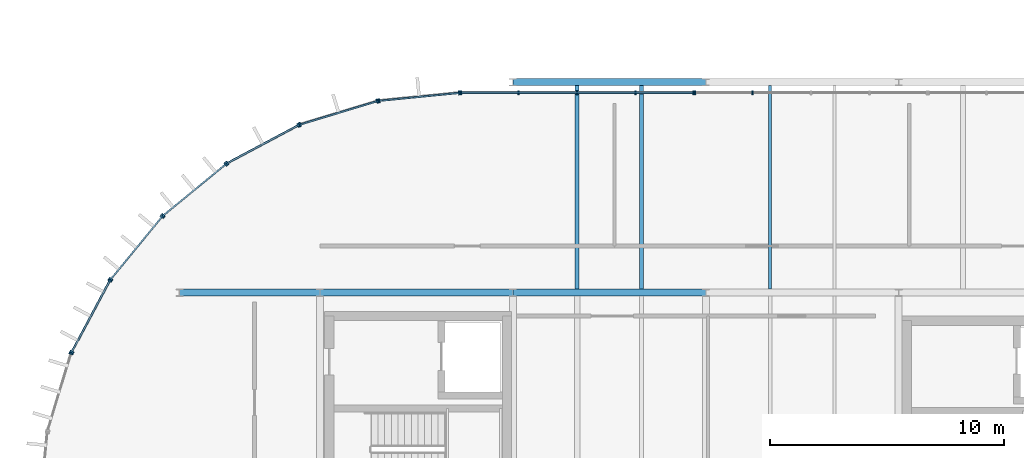
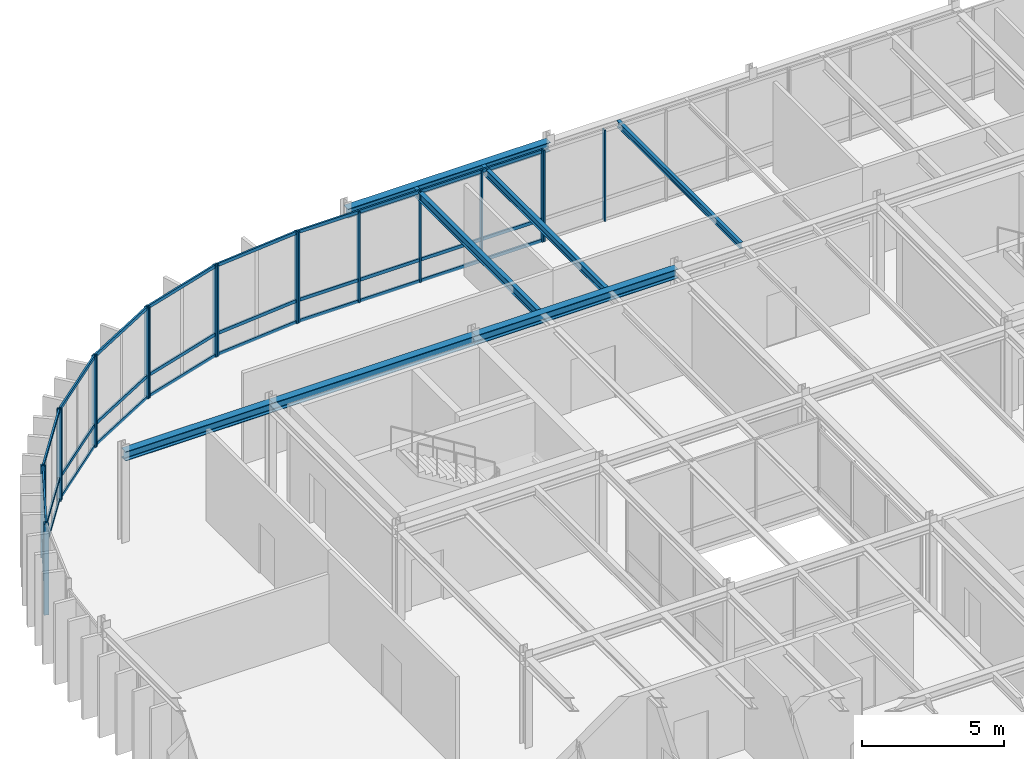
# One storey, part 12 of 27: 41 members, 7 beams, 9 elements without a shape of their own.
"""IFC4 building model written with IfcOpenShell, lengths in metres."""

from ifc_helpers import new_model, si_unit, direction, frame, origin, origin_2d, place, context, subcontext, project, spatial, rectangle, i_section, extrude, material, layer, layer_set, material_profile, profile_set, type_object, element, aggregate, save


model = new_model("IFC4")

# Units and contexts
model_context = context("Model", 3, precision=1e-05, world=origin(), true_north=direction((0.0, 1.0)))
body_context = subcontext(model_context, "Body", "Model", "MODEL_VIEW")
ifc_project = project(units=[si_unit("LENGTHUNIT", "METRE"), si_unit("AREAUNIT", "SQUARE_METRE"), si_unit("VOLUMEUNIT", "CUBIC_METRE"), si_unit("PLANEANGLEUNIT", "RADIAN"), si_unit("MASSUNIT", "GRAM", prefix="KILO")], contexts=[model_context])

# Site, building, storey
site_placement = place(None, origin())
site = spatial("IfcSite", under=ifc_project, at=site_placement, CompositionType="ELEMENT")
building_placement = place(site_placement, origin())
building = spatial("IfcBuilding", under=site, at=building_placement, Name="Montealbar Specialist Clinic", CompositionType="ELEMENT")
storey_placement = place(building_placement, frame((0.0, 0.0, 18.0)))
storey = spatial("IfcBuildingStorey", under=building, at=storey_placement, Name="L04", CompositionType="ELEMENT", Elevation=18.0)

# Beams
ifc_material_1 = material(Name="Steel S355", Category="steel")
ifc_material_profile_1 = material_profile(ifc_material_1, i_section(OverallWidth=0.300048828125, OverallDepth=0.39990234375, WebThickness=0.013427734375, FlangeThickness=0.02392578125, FilletRadius=0.027099609375, at=origin_2d()), Name="HEB 400", Category="steel")
ifc_profile_set_1 = profile_set([ifc_material_profile_1], Name="Steel S355")
beam_type_1 = type_object("IfcBeamType", Name="BM-GIRD-HEB400", PredefinedType="BEAM", material=ifc_profile_set_1)
beam_1_placement = place(storey_placement, frame((60.0, 36.0, 3.68994140625), z_axis=(1.0, 0.0, 0.0), x_axis=(0.0, 1.0, 0.0)))
element("IfcBeam", 1, at=beam_1_placement, inside=storey, type_object=beam_type_1, Name="Beam GX-L04-600-660-360", PredefinedType="BEAM", context=body_context, shape_type="SweptSolid", body=[
    extrude(i_section(OverallWidth=0.300048828125, OverallDepth=0.39990234375, WebThickness=0.013427734375, FlangeThickness=0.02392578125, FilletRadius=0.027099609375, at=origin_2d()), origin(), (0.0, 0.0, 1.0), 6.0),
])
for number, where, z_axis, x_axis, name in (
    (2, (66.0, 36.0, 3.68994140625), (1.0, 0.0, 0.0), (0.0, 1.0, 0.0), "Beam GX-L04-660-742-360"),
    (3, (74.25, 36.0, 3.68994140625), (1.0, 0.0, 0.0), (0.0, 1.0, 0.0), "Beam GX-L04-742-825-360"),
    (4, (74.25, 45.0, 3.68994140625), (1.0, 0.0, 0.0), (0.0, 1.0, 0.0), "Beam GX-L04-742-825-450"),
):
    element("IfcBeam", number, at=place(storey_placement, frame(where, z_axis=z_axis, x_axis=x_axis)), inside=storey, type_object=beam_type_1, Name=name, PredefinedType="BEAM", context=body_context, shape_type="SweptSolid", body=[
        extrude(i_section(OverallWidth=0.300048828125, OverallDepth=0.39990234375, WebThickness=0.013427734375, FlangeThickness=0.02392578125, FilletRadius=0.027099609375, at=origin_2d()), origin(), (0.0, 0.0, 1.0), 8.25),
    ])
ifc_material_profile_2 = material_profile(ifc_material_1, i_section(OverallWidth=0.135009765625, OverallDepth=0.27001953125, WebThickness=0.006591796875, FlangeThickness=0.01025390625, FilletRadius=0.014892578125, at=origin_2d()), Name="IPE 270", Category="steel")
ifc_profile_set_2 = profile_set([ifc_material_profile_2], Name="Steel S355")
beam_type_2 = type_object("IfcBeamType", Name="BM-JST-IPE270", PredefinedType="JOIST", material=ifc_profile_set_2)
beam_2_placement = place(storey_placement, frame((85.25, 36.14990234375, 3.7548828125), z_axis=(0.0, 1.0, 0.0), x_axis=(-1.0, 0.0, 0.0)))
element("IfcBeam", 5, at=beam_2_placement, inside=storey, type_object=beam_type_2, Name="Beam JST-L04-852-362-448", PredefinedType="JOIST", context=body_context, shape_type="SweptSolid", body=[
    extrude(i_section(OverallWidth=0.135009765625, OverallDepth=0.27001953125, WebThickness=0.006591796875, FlangeThickness=0.01025390625, FilletRadius=0.014892578125, at=origin_2d()), origin(), (0.0, 0.0, 1.0), 8.7001953125),
])
ifc_material_profile_3 = material_profile(ifc_material_1, i_section(OverallWidth=0.159912109375, OverallDepth=0.330078125, WebThickness=0.007568359375, FlangeThickness=0.011474609375, FilletRadius=0.01806640625, at=origin_2d()), Name="IPE 330", Category="steel")
ifc_profile_set_3 = profile_set([ifc_material_profile_3], Name="Steel S355")
beam_type_3 = type_object("IfcBeamType", Name="BM-JST-IPE330", PredefinedType="JOIST", material=ifc_profile_set_3)
beam_3_placement = place(storey_placement, frame((79.75, 36.14990234375, 3.72509765625), z_axis=(0.0, 1.0, 0.0), x_axis=(-1.0, 0.0, 0.0)))
element("IfcBeam", 6, at=beam_3_placement, inside=storey, type_object=beam_type_3, Name="Beam JST-L04-798-362-448", PredefinedType="JOIST", context=body_context, shape_type="SweptSolid", body=[
    extrude(i_section(OverallWidth=0.159912109375, OverallDepth=0.330078125, WebThickness=0.007568359375, FlangeThickness=0.011474609375, FilletRadius=0.01806640625, at=origin_2d()), origin(), (0.0, 0.0, 1.0), 8.7001953125),
])
ifc_material_profile_4 = material_profile(ifc_material_1, i_section(OverallWidth=0.169921875, OverallDepth=0.360107421875, WebThickness=0.008056640625, FlangeThickness=0.0126953125, FilletRadius=0.01806640625, at=origin_2d()), Name="IPE 360", Category="steel")
ifc_profile_set_4 = profile_set([ifc_material_profile_4], Name="Steel S355")
beam_type_4 = type_object("IfcBeamType", Name="BM-JST-IPE360", PredefinedType="JOIST", material=ifc_profile_set_4)
beam_4_placement = place(storey_placement, frame((77.0, 36.14990234375, 3.7099609375), z_axis=(0.0, 1.0, 0.0), x_axis=(-1.0, 0.0, 0.0)))
element("IfcBeam", 7, at=beam_4_placement, inside=storey, type_object=beam_type_4, Name="Beam JST-L04-770-362-448", PredefinedType="JOIST", context=body_context, shape_type="SweptSolid", body=[
    extrude(i_section(OverallWidth=0.169921875, OverallDepth=0.360107421875, WebThickness=0.008056640625, FlangeThickness=0.0126953125, FilletRadius=0.01806640625, at=origin_2d()), origin(), (0.0, 0.0, 1.0), 8.7001953125),
])

# Curtain wall, members
ifc_material_2 = material(Name="Low-E double glazing", Category="glass")
ifc_layer_1 = layer(ifc_material_2, 0.199951171875, Name="Low-E double glazing", Category="glass")
ifc_layer_set_1 = layer_set([ifc_layer_1], Name="Low-E double glazing")
curtain_wall_type_1 = type_object("IfcCurtainWallType", Name="CW-TYPE-30", PredefinedType="NOTDEFINED", material=ifc_layer_set_1)
curtain_wall_1_placement = place(storey_placement, origin())
curtain_wall_1 = element("IfcCurtainWall", 8, at=curtain_wall_1_placement, inside=storey, type_object=curtain_wall_type_1, Name="Unitised Curtain Wall CW-L04-720-446-820-446-180", PredefinedType="NOTDEFINED")
ifc_material_3 = material(Name="Anodised aluminium EN AW-6063", Category="aluminium")
ifc_material_profile_5 = material_profile(ifc_material_3, rectangle(XDim=0.06005859375, YDim=0.159912109375, at=origin_2d()), Name="ALU 60x160", Category="aluminium")
ifc_profile_set_5 = profile_set([ifc_material_profile_5], Name="Anodised aluminium EN AW-6063")
member_type_1 = type_object("IfcMemberType", Name="CW-MUL-160", PredefinedType="MULLION", material=ifc_profile_set_5)
member_1_placement = place(storey_placement, frame((72.034912109375, 44.550048828125, 0.0), z_axis=(0.0, 0.0, 1.0), x_axis=(1.0, 0.0, 0.0)))
member_1 = element("IfcMember", 9, at=member_1_placement, type_object=member_type_1, Name="Curtain Wall Mullion CW-L04-720-446-820-446-180-00", PredefinedType="MULLION", context=body_context, shape_type="SweptSolid", body=[
    extrude(rectangle(XDim=0.06005859375, YDim=0.159912109375, at=origin_2d()), origin(), (0.0, 0.0, 1.0), 3.919921875),
])
member_2_placement = place(storey_placement, frame((74.5, 44.550048828125, 0.0), z_axis=(0.0, 0.0, 1.0), x_axis=(1.0, 0.0, 0.0)))
member_2 = element("IfcMember", 10, at=member_2_placement, type_object=member_type_1, Name="Curtain Wall Mullion CW-L04-720-446-820-446-180-01", PredefinedType="MULLION", context=body_context, shape_type="SweptSolid", body=[
    extrude(rectangle(XDim=0.06005859375, YDim=0.159912109375, at=origin_2d()), origin(), (0.0, 0.0, 1.0), 3.919921875),
])
member_3_placement = place(storey_placement, frame((77.0, 44.550048828125, 0.0), z_axis=(0.0, 0.0, 1.0), x_axis=(1.0, 0.0, 0.0)))
member_3 = element("IfcMember", 11, at=member_3_placement, type_object=member_type_1, Name="Curtain Wall Mullion CW-L04-720-446-820-446-180-02", PredefinedType="MULLION", context=body_context, shape_type="SweptSolid", body=[
    extrude(rectangle(XDim=0.06005859375, YDim=0.159912109375, at=origin_2d()), origin(), (0.0, 0.0, 1.0), 3.919921875),
])
member_4_placement = place(storey_placement, frame((79.5, 44.550048828125, 0.0), z_axis=(0.0, 0.0, 1.0), x_axis=(1.0, 0.0, 0.0)))
member_4 = element("IfcMember", 12, at=member_4_placement, type_object=member_type_1, Name="Curtain Wall Mullion CW-L04-720-446-820-446-180-03", PredefinedType="MULLION", context=body_context, shape_type="SweptSolid", body=[
    extrude(rectangle(XDim=0.06005859375, YDim=0.159912109375, at=origin_2d()), origin(), (0.0, 0.0, 1.0), 3.919921875),
])
member_5_placement = place(storey_placement, frame((81.965087890625, 44.550048828125, 0.0), z_axis=(0.0, 0.0, 1.0), x_axis=(1.0, 0.0, 0.0)))
member_5 = element("IfcMember", 13, at=member_5_placement, type_object=member_type_1, Name="Curtain Wall Mullion CW-L04-720-446-820-446-180-04", PredefinedType="MULLION", context=body_context, shape_type="SweptSolid", body=[
    extrude(rectangle(XDim=0.06005859375, YDim=0.159912109375, at=origin_2d()), origin(), (0.0, 0.0, 1.0), 3.919921875),
])

curtain_wall_2_placement = place(storey_placement, origin())
curtain_wall_2 = element("IfcCurtainWall", 14, at=curtain_wall_2_placement, inside=storey, type_object=curtain_wall_type_1, Name="Unitised Curtain Wall CW-L04-820-446-920-446-180", PredefinedType="NOTDEFINED")
member_6_placement = place(storey_placement, frame((82.034912109375, 44.550048828125, 0.0), z_axis=(0.0, 0.0, 1.0), x_axis=(1.0, 0.0, 0.0)))
member_6 = element("IfcMember", 15, at=member_6_placement, type_object=member_type_1, Name="Curtain Wall Mullion CW-L04-820-446-920-446-180-00", PredefinedType="MULLION", context=body_context, shape_type="SweptSolid", body=[
    extrude(rectangle(XDim=0.06005859375, YDim=0.159912109375, at=origin_2d()), origin(), (0.0, 0.0, 1.0), 3.919921875),
])
member_7_placement = place(storey_placement, frame((84.5, 44.550048828125, 0.0), z_axis=(0.0, 0.0, 1.0), x_axis=(1.0, 0.0, 0.0)))
member_7 = element("IfcMember", 16, at=member_7_placement, type_object=member_type_1, Name="Curtain Wall Mullion CW-L04-820-446-920-446-180-01", PredefinedType="MULLION", context=body_context, shape_type="SweptSolid", body=[
    extrude(rectangle(XDim=0.06005859375, YDim=0.159912109375, at=origin_2d()), origin(), (0.0, 0.0, 1.0), 3.919921875),
])
aggregate(curtain_wall_2, [member_6, member_7])

# Curtain wall, member
ifc_layer_2 = layer(ifc_material_2, 0.199951171875, Name="Low-E double glazing", Category="glass")
ifc_layer_set_2 = layer_set([ifc_layer_2], Name="Low-E double glazing")
curtain_wall_type_2 = type_object("IfcCurtainWallType", Name="CW-TYPE-29", PredefinedType="NOTDEFINED", material=ifc_layer_set_2)
curtain_wall_3_placement = place(storey_placement, origin())
curtain_wall_3 = element("IfcCurtainWall", 17, at=curtain_wall_3_placement, inside=storey, type_object=curtain_wall_type_2, Name="Unitised Curtain Wall CW-L04-543-301-554-334-180", PredefinedType="NOTDEFINED")
ifc_material_profile_6 = material_profile(ifc_material_3, rectangle(XDim=0.070068359375, YDim=0.179931640625, at=origin_2d()), Name="ALU 70x180", Category="aluminium")
ifc_profile_set_6 = profile_set([ifc_material_profile_6], Name="Anodised aluminium EN AW-6063")
member_type_2 = type_object("IfcMemberType", Name="CW-MUL-200", PredefinedType="MULLION", material=ifc_profile_set_6)
member_8_placement = place(storey_placement, frame((55.35791015625, 33.39990234375, 0.0), z_axis=(0.0, 0.0, 1.0), x_axis=(0.290259134399, 0.956948083701, 0.0)))
member_8 = element("IfcMember", 18, at=member_8_placement, type_object=member_type_2, Name="Curtain Wall Mullion CW-L04-543-301-554-334-180-01", PredefinedType="MULLION", context=body_context, shape_type="SweptSolid", body=[
    extrude(rectangle(XDim=0.070068359375, YDim=0.179931640625, at=origin_2d()), origin(), (0.0, 0.0, 1.0), 3.919921875),
])
aggregate(curtain_wall_3, [member_8])

# Curtain wall, members
curtain_wall_4_placement = place(storey_placement, origin())
curtain_wall_4 = element("IfcCurtainWall", 19, at=curtain_wall_4_placement, inside=storey, type_object=curtain_wall_type_2, Name="Unitised Curtain Wall CW-L04-554-334-570-366-180", PredefinedType="NOTDEFINED")
member_9_placement = place(storey_placement, frame((55.388916015625, 33.472900390625, 0.0), z_axis=(0.0, 0.0, 1.0), x_axis=(0.471529268958, 0.881850411644, 0.0)))
member_9 = element("IfcMember", 20, at=member_9_placement, type_object=member_type_2, Name="Curtain Wall Mullion CW-L04-554-334-570-366-180-00", PredefinedType="MULLION", context=body_context, shape_type="SweptSolid", body=[
    extrude(rectangle(XDim=0.070068359375, YDim=0.179931640625, at=origin_2d()), origin(), (0.0, 0.0, 1.0), 3.919921875),
])
member_10_placement = place(storey_placement, frame((57.014892578125, 36.514892578125, 0.0), z_axis=(0.0, 0.0, 1.0), x_axis=(0.471529268958, 0.881850411644, 0.0)))
member_10 = element("IfcMember", 21, at=member_10_placement, type_object=member_type_2, Name="Curtain Wall Mullion CW-L04-554-334-570-366-180-01", PredefinedType="MULLION", context=body_context, shape_type="SweptSolid", body=[
    extrude(rectangle(XDim=0.070068359375, YDim=0.179931640625, at=origin_2d()), origin(), (0.0, 0.0, 1.0), 3.919921875),
])

curtain_wall_5_placement = place(storey_placement, origin())
curtain_wall_5 = element("IfcCurtainWall", 22, at=curtain_wall_5_placement, inside=storey, type_object=curtain_wall_type_2, Name="Unitised Curtain Wall CW-L04-570-366-593-393-180", PredefinedType="NOTDEFINED")
member_11_placement = place(storey_placement, frame((57.05908203125, 36.5810546875, 0.0), z_axis=(0.0, 0.0, 1.0), x_axis=(0.634255808922, 0.773123255923, 0.0)))
member_11 = element("IfcMember", 23, at=member_11_placement, type_object=member_type_2, Name="Curtain Wall Mullion CW-L04-570-366-593-393-180-00", PredefinedType="MULLION", context=body_context, shape_type="SweptSolid", body=[
    extrude(rectangle(XDim=0.070068359375, YDim=0.179931640625, at=origin_2d()), origin(), (0.0, 0.0, 1.0), 3.919921875),
])
member_12_placement = place(storey_placement, frame((59.2470703125, 39.2470703125, 0.0), z_axis=(0.0, 0.0, 1.0), x_axis=(0.634255808922, 0.773123255923, 0.0)))
member_12 = element("IfcMember", 24, at=member_12_placement, type_object=member_type_2, Name="Curtain Wall Mullion CW-L04-570-366-593-393-180-01", PredefinedType="MULLION", context=body_context, shape_type="SweptSolid", body=[
    extrude(rectangle(XDim=0.070068359375, YDim=0.179931640625, at=origin_2d()), origin(), (0.0, 0.0, 1.0), 3.919921875),
])

curtain_wall_6_placement = place(storey_placement, origin())
curtain_wall_6 = element("IfcCurtainWall", 25, at=curtain_wall_6_placement, inside=storey, type_object=curtain_wall_type_2, Name="Unitised Curtain Wall CW-L04-593-393-620-415-180", PredefinedType="NOTDEFINED")
member_13_placement = place(storey_placement, frame((59.302978515625, 39.302978515625, 0.0), z_axis=(0.0, 0.0, 1.0), x_axis=(0.773123255923, 0.634255808922, 0.0)))
member_13 = element("IfcMember", 26, at=member_13_placement, type_object=member_type_2, Name="Curtain Wall Mullion CW-L04-593-393-620-415-180-00", PredefinedType="MULLION", context=body_context, shape_type="SweptSolid", body=[
    extrude(rectangle(XDim=0.070068359375, YDim=0.179931640625, at=origin_2d()), origin(), (0.0, 0.0, 1.0), 3.919921875),
])
member_14_placement = place(storey_placement, frame((61.968994140625, 41.490966796875, 0.0), z_axis=(0.0, 0.0, 1.0), x_axis=(0.773123255923, 0.634255808922, 0.0)))
member_14 = element("IfcMember", 27, at=member_14_placement, type_object=member_type_2, Name="Curtain Wall Mullion CW-L04-593-393-620-415-180-01", PredefinedType="MULLION", context=body_context, shape_type="SweptSolid", body=[
    extrude(rectangle(XDim=0.070068359375, YDim=0.179931640625, at=origin_2d()), origin(), (0.0, 0.0, 1.0), 3.919921875),
])

curtain_wall_7_placement = place(storey_placement, origin())
curtain_wall_7 = element("IfcCurtainWall", 28, at=curtain_wall_7_placement, inside=storey, type_object=curtain_wall_type_2, Name="Unitised Curtain Wall CW-L04-620-415-651-432-180", PredefinedType="NOTDEFINED")
member_15_placement = place(storey_placement, frame((62.034912109375, 41.534912109375, 0.0), z_axis=(0.0, 0.0, 1.0), x_axis=(0.881850411644, 0.471529268958, 0.0)))
member_15 = element("IfcMember", 29, at=member_15_placement, type_object=member_type_2, Name="Curtain Wall Mullion CW-L04-620-415-651-432-180-00", PredefinedType="MULLION", context=body_context, shape_type="SweptSolid", body=[
    extrude(rectangle(XDim=0.070068359375, YDim=0.179931640625, at=origin_2d()), origin(), (0.0, 0.0, 1.0), 3.919921875),
])
member_16_placement = place(storey_placement, frame((65.076904296875, 43.160888671875, 0.0), z_axis=(0.0, 0.0, 1.0), x_axis=(0.881850411644, 0.471529268958, 0.0)))
member_16 = element("IfcMember", 30, at=member_16_placement, type_object=member_type_2, Name="Curtain Wall Mullion CW-L04-620-415-651-432-180-01", PredefinedType="MULLION", context=body_context, shape_type="SweptSolid", body=[
    extrude(rectangle(XDim=0.070068359375, YDim=0.179931640625, at=origin_2d()), origin(), (0.0, 0.0, 1.0), 3.919921875),
])

curtain_wall_8_placement = place(storey_placement, origin())
curtain_wall_8 = element("IfcCurtainWall", 31, at=curtain_wall_8_placement, inside=storey, type_object=curtain_wall_type_2, Name="Unitised Curtain Wall CW-L04-651-432-685-442-180", PredefinedType="NOTDEFINED")
member_17_placement = place(storey_placement, frame((65.14990234375, 43.19189453125, 0.0), z_axis=(0.0, 0.0, 1.0), x_axis=(0.956948083701, 0.290259134399, 0.0)))
member_17 = element("IfcMember", 32, at=member_17_placement, type_object=member_type_2, Name="Curtain Wall Mullion CW-L04-651-432-685-442-180-00", PredefinedType="MULLION", context=body_context, shape_type="SweptSolid", body=[
    extrude(rectangle(XDim=0.070068359375, YDim=0.179931640625, at=origin_2d()), origin(), (0.0, 0.0, 1.0), 3.919921875),
])
member_18_placement = place(storey_placement, frame((68.449951171875, 44.19189453125, 0.0), z_axis=(0.0, 0.0, 1.0), x_axis=(0.956948083701, 0.290259134399, 0.0)))
member_18 = element("IfcMember", 33, at=member_18_placement, type_object=member_type_2, Name="Curtain Wall Mullion CW-L04-651-432-685-442-180-01", PredefinedType="MULLION", context=body_context, shape_type="SweptSolid", body=[
    extrude(rectangle(XDim=0.070068359375, YDim=0.179931640625, at=origin_2d()), origin(), (0.0, 0.0, 1.0), 3.919921875),
])

curtain_wall_9_placement = place(storey_placement, origin())
curtain_wall_9 = element("IfcCurtainWall", 34, at=curtain_wall_9_placement, inside=storey, type_object=curtain_wall_type_2, Name="Unitised Curtain Wall CW-L04-685-442-720-446-180", PredefinedType="NOTDEFINED")
member_19_placement = place(storey_placement, frame((68.528076171875, 44.2080078125, 0.0), z_axis=(0.0, 0.0, 1.0), x_axis=(0.995182012183, 0.098044697094, 0.0)))
member_19 = element("IfcMember", 35, at=member_19_placement, type_object=member_type_2, Name="Curtain Wall Mullion CW-L04-685-442-720-446-180-00", PredefinedType="MULLION", context=body_context, shape_type="SweptSolid", body=[
    extrude(rectangle(XDim=0.070068359375, YDim=0.179931640625, at=origin_2d()), origin(), (0.0, 0.0, 1.0), 3.919921875),
])
member_20_placement = place(storey_placement, frame((71.9599609375, 44.5458984375, 0.0), z_axis=(0.0, 0.0, 1.0), x_axis=(0.995182012183, 0.098044697094, 0.0)))
member_20 = element("IfcMember", 36, at=member_20_placement, type_object=member_type_2, Name="Curtain Wall Mullion CW-L04-685-442-720-446-180-01", PredefinedType="MULLION", context=body_context, shape_type="SweptSolid", body=[
    extrude(rectangle(XDim=0.070068359375, YDim=0.179931640625, at=origin_2d()), origin(), (0.0, 0.0, 1.0), 3.919921875),
])

# Member
ifc_material_4 = material(Name="Powder-coated aluminium", Category="aluminium")
ifc_material_profile_7 = material_profile(ifc_material_4, rectangle(XDim=0.070068359375, YDim=0.139892578125, at=origin_2d()), Name="ALU 70x140", Category="aluminium")
ifc_profile_set_7 = profile_set([ifc_material_profile_7], Name="Powder-coated aluminium")
member_type_3 = type_object("IfcMemberType", Name="CW-TRN-140", PredefinedType="USERDEFINED", material=ifc_profile_set_7)
member_21_placement = place(storey_placement, frame((55.39404296875, 33.48193359375, 0.0400390625), z_axis=(0.471286558069, 0.881980147273, 0.0), x_axis=(-0.881980147273, 0.471286558069, 0.0)))
member_21 = element("IfcMember", 37, at=member_21_placement, type_object=member_type_3, Name="Curtain Wall Transom CW-L04-554-334-570-366-180-00", ObjectType="TRANSOM", PredefinedType="USERDEFINED", context=body_context, shape_type="SweptSolid", body=[
    extrude(rectangle(XDim=0.070068359375, YDim=0.139892578125, at=origin_2d()), origin(), (0.0, 0.0, 1.0), 3.428955078125),
])

member_22_placement = place(storey_placement, frame((55.39404296875, 33.48193359375, 0.949951171875), z_axis=(0.471286558069, 0.881980147273, 0.0), x_axis=(-0.881980147273, 0.471286558069, 0.0)))
member_22 = element("IfcMember", 38, at=member_22_placement, type_object=member_type_3, Name="Curtain Wall Transom CW-L04-554-334-570-366-180-01", ObjectType="TRANSOM", PredefinedType="USERDEFINED", context=body_context, shape_type="SweptSolid", body=[
    extrude(rectangle(XDim=0.070068359375, YDim=0.139892578125, at=origin_2d()), origin(), (0.0, 0.0, 1.0), 3.428955078125),
])

member_23_placement = place(storey_placement, frame((55.39404296875, 33.48193359375, 3.8798828125), z_axis=(0.471286558069, 0.881980147273, 0.0), x_axis=(-0.881980147273, 0.471286558069, 0.0)))
member_23 = element("IfcMember", 39, at=member_23_placement, type_object=member_type_3, Name="Curtain Wall Transom CW-L04-554-334-570-366-180-02", ObjectType="TRANSOM", PredefinedType="USERDEFINED", context=body_context, shape_type="SweptSolid", body=[
    extrude(rectangle(XDim=0.070068359375, YDim=0.139892578125, at=origin_2d()), origin(), (0.0, 0.0, 1.0), 3.428955078125),
])

aggregate(curtain_wall_4, [member_9, member_10, member_21, member_22, member_23])

member_24_placement = place(storey_placement, frame((57.06591796875, 36.589111328125, 0.0400390625), z_axis=(0.634280591441, 0.773102924144, 0.0), x_axis=(-0.773102924144, 0.634280591441, 0.0)))
member_24 = element("IfcMember", 40, at=member_24_placement, type_object=member_type_3, Name="Curtain Wall Transom CW-L04-570-366-593-393-180-00", ObjectType="TRANSOM", PredefinedType="USERDEFINED", context=body_context, shape_type="SweptSolid", body=[
    extrude(rectangle(XDim=0.070068359375, YDim=0.139892578125, at=origin_2d()), origin(), (0.0, 0.0, 1.0), 3.427734375),
])

member_25_placement = place(storey_placement, frame((57.06591796875, 36.589111328125, 0.949951171875), z_axis=(0.634280591441, 0.773102924144, 0.0), x_axis=(-0.773102924144, 0.634280591441, 0.0)))
member_25 = element("IfcMember", 41, at=member_25_placement, type_object=member_type_3, Name="Curtain Wall Transom CW-L04-570-366-593-393-180-01", ObjectType="TRANSOM", PredefinedType="USERDEFINED", context=body_context, shape_type="SweptSolid", body=[
    extrude(rectangle(XDim=0.070068359375, YDim=0.139892578125, at=origin_2d()), origin(), (0.0, 0.0, 1.0), 3.427734375),
])

member_26_placement = place(storey_placement, frame((57.06591796875, 36.589111328125, 3.8798828125), z_axis=(0.634280591441, 0.773102924144, 0.0), x_axis=(-0.773102924144, 0.634280591441, 0.0)))
member_26 = element("IfcMember", 42, at=member_26_placement, type_object=member_type_3, Name="Curtain Wall Transom CW-L04-570-366-593-393-180-02", ObjectType="TRANSOM", PredefinedType="USERDEFINED", context=body_context, shape_type="SweptSolid", body=[
    extrude(rectangle(XDim=0.070068359375, YDim=0.139892578125, at=origin_2d()), origin(), (0.0, 0.0, 1.0), 3.427734375),
])

aggregate(curtain_wall_5, [member_11, member_12, member_24, member_25, member_26])

member_27_placement = place(storey_placement, frame((59.31103515625, 39.31005859375, 0.0400390625), z_axis=(0.773137851948, 0.634238016745, 0.0), x_axis=(-0.634238016745, 0.773137851948, 0.0)))
member_27 = element("IfcMember", 43, at=member_27_placement, type_object=member_type_3, Name="Curtain Wall Transom CW-L04-593-393-620-415-180-00", ObjectType="TRANSOM", PredefinedType="USERDEFINED", context=body_context, shape_type="SweptSolid", body=[
    extrude(rectangle(XDim=0.070068359375, YDim=0.139892578125, at=origin_2d()), origin(), (0.0, 0.0, 1.0), 3.427490234375),
])

member_28_placement = place(storey_placement, frame((59.31103515625, 39.31005859375, 0.949951171875), z_axis=(0.773137851948, 0.634238016745, 0.0), x_axis=(-0.634238016745, 0.773137851948, 0.0)))
member_28 = element("IfcMember", 44, at=member_28_placement, type_object=member_type_3, Name="Curtain Wall Transom CW-L04-593-393-620-415-180-01", ObjectType="TRANSOM", PredefinedType="USERDEFINED", context=body_context, shape_type="SweptSolid", body=[
    extrude(rectangle(XDim=0.070068359375, YDim=0.139892578125, at=origin_2d()), origin(), (0.0, 0.0, 1.0), 3.427490234375),
])

member_29_placement = place(storey_placement, frame((59.31103515625, 39.31005859375, 3.8798828125), z_axis=(0.773137851948, 0.634238016745, 0.0), x_axis=(-0.634238016745, 0.773137851948, 0.0)))
member_29 = element("IfcMember", 45, at=member_29_placement, type_object=member_type_3, Name="Curtain Wall Transom CW-L04-593-393-620-415-180-02", ObjectType="TRANSOM", PredefinedType="USERDEFINED", context=body_context, shape_type="SweptSolid", body=[
    extrude(rectangle(XDim=0.070068359375, YDim=0.139892578125, at=origin_2d()), origin(), (0.0, 0.0, 1.0), 3.427490234375),
])

aggregate(curtain_wall_6, [member_13, member_14, member_27, member_28, member_29])

member_30_placement = place(storey_placement, frame((62.0439453125, 41.5400390625, 0.0400390625), z_axis=(0.881980147273, 0.471286558069, 0.0), x_axis=(-0.471286558069, 0.881980147273, 0.0)))
member_30 = element("IfcMember", 46, at=member_30_placement, type_object=member_type_3, Name="Curtain Wall Transom CW-L04-620-415-651-432-180-00", ObjectType="TRANSOM", PredefinedType="USERDEFINED", context=body_context, shape_type="SweptSolid", body=[
    extrude(rectangle(XDim=0.070068359375, YDim=0.139892578125, at=origin_2d()), origin(), (0.0, 0.0, 1.0), 3.428955078125),
])

member_31_placement = place(storey_placement, frame((62.0439453125, 41.5400390625, 0.949951171875), z_axis=(0.881980147273, 0.471286558069, 0.0), x_axis=(-0.471286558069, 0.881980147273, 0.0)))
member_31 = element("IfcMember", 47, at=member_31_placement, type_object=member_type_3, Name="Curtain Wall Transom CW-L04-620-415-651-432-180-01", ObjectType="TRANSOM", PredefinedType="USERDEFINED", context=body_context, shape_type="SweptSolid", body=[
    extrude(rectangle(XDim=0.070068359375, YDim=0.139892578125, at=origin_2d()), origin(), (0.0, 0.0, 1.0), 3.428955078125),
])

member_32_placement = place(storey_placement, frame((62.0439453125, 41.5400390625, 3.8798828125), z_axis=(0.881980147273, 0.471286558069, 0.0), x_axis=(-0.471286558069, 0.881980147273, 0.0)))
member_32 = element("IfcMember", 48, at=member_32_placement, type_object=member_type_3, Name="Curtain Wall Transom CW-L04-620-415-651-432-180-02", ObjectType="TRANSOM", PredefinedType="USERDEFINED", context=body_context, shape_type="SweptSolid", body=[
    extrude(rectangle(XDim=0.070068359375, YDim=0.139892578125, at=origin_2d()), origin(), (0.0, 0.0, 1.0), 3.428955078125),
])

aggregate(curtain_wall_7, [member_15, member_16, member_30, member_31, member_32])

member_33_placement = place(storey_placement, frame((65.159912109375, 43.195068359375, 0.0400390625), z_axis=(0.957028598092, 0.289993555849, 0.0), x_axis=(-0.289993555849, 0.957028598092, 0.0)))
member_33 = element("IfcMember", 49, at=member_33_placement, type_object=member_type_3, Name="Curtain Wall Transom CW-L04-651-432-685-442-180-00", ObjectType="TRANSOM", PredefinedType="USERDEFINED", context=body_context, shape_type="SweptSolid", body=[
    extrude(rectangle(XDim=0.070068359375, YDim=0.139892578125, at=origin_2d()), origin(), (0.0, 0.0, 1.0), 3.42724609375),
])

member_34_placement = place(storey_placement, frame((65.159912109375, 43.195068359375, 0.949951171875), z_axis=(0.957028598092, 0.289993555849, 0.0), x_axis=(-0.289993555849, 0.957028598092, 0.0)))
member_34 = element("IfcMember", 50, at=member_34_placement, type_object=member_type_3, Name="Curtain Wall Transom CW-L04-651-432-685-442-180-01", ObjectType="TRANSOM", PredefinedType="USERDEFINED", context=body_context, shape_type="SweptSolid", body=[
    extrude(rectangle(XDim=0.070068359375, YDim=0.139892578125, at=origin_2d()), origin(), (0.0, 0.0, 1.0), 3.42724609375),
])

member_35_placement = place(storey_placement, frame((65.159912109375, 43.195068359375, 3.8798828125), z_axis=(0.957028598092, 0.289993555849, 0.0), x_axis=(-0.289993555849, 0.957028598092, 0.0)))
member_35 = element("IfcMember", 51, at=member_35_placement, type_object=member_type_3, Name="Curtain Wall Transom CW-L04-651-432-685-442-180-02", ObjectType="TRANSOM", PredefinedType="USERDEFINED", context=body_context, shape_type="SweptSolid", body=[
    extrude(rectangle(XDim=0.070068359375, YDim=0.139892578125, at=origin_2d()), origin(), (0.0, 0.0, 1.0), 3.42724609375),
])

aggregate(curtain_wall_8, [member_17, member_18, member_33, member_34, member_35])

member_36_placement = place(storey_placement, frame((68.5380859375, 44.208984375, 0.0400390625), z_axis=(0.995187625394, 0.097987704654, 0.0), x_axis=(-0.097987704654, 0.995187625394, 0.0)))
member_36 = element("IfcMember", 52, at=member_36_placement, type_object=member_type_3, Name="Curtain Wall Transom CW-L04-685-442-720-446-180-00", ObjectType="TRANSOM", PredefinedType="USERDEFINED", context=body_context, shape_type="SweptSolid", body=[
    extrude(rectangle(XDim=0.070068359375, YDim=0.139892578125, at=origin_2d()), origin(), (0.0, 0.0, 1.0), 3.428466796875),
])

member_37_placement = place(storey_placement, frame((68.5380859375, 44.208984375, 0.949951171875), z_axis=(0.995187625394, 0.097987704654, 0.0), x_axis=(-0.097987704654, 0.995187625394, 0.0)))
member_37 = element("IfcMember", 53, at=member_37_placement, type_object=member_type_3, Name="Curtain Wall Transom CW-L04-685-442-720-446-180-01", ObjectType="TRANSOM", PredefinedType="USERDEFINED", context=body_context, shape_type="SweptSolid", body=[
    extrude(rectangle(XDim=0.070068359375, YDim=0.139892578125, at=origin_2d()), origin(), (0.0, 0.0, 1.0), 3.428466796875),
])

member_38_placement = place(storey_placement, frame((68.5380859375, 44.208984375, 3.8798828125), z_axis=(0.995187625394, 0.097987704654, 0.0), x_axis=(-0.097987704654, 0.995187625394, 0.0)))
member_38 = element("IfcMember", 54, at=member_38_placement, type_object=member_type_3, Name="Curtain Wall Transom CW-L04-685-442-720-446-180-02", ObjectType="TRANSOM", PredefinedType="USERDEFINED", context=body_context, shape_type="SweptSolid", body=[
    extrude(rectangle(XDim=0.070068359375, YDim=0.139892578125, at=origin_2d()), origin(), (0.0, 0.0, 1.0), 3.428466796875),
])

aggregate(curtain_wall_9, [member_19, member_20, member_36, member_37, member_38])

member_39_placement = place(storey_placement, frame((72.050048828125, 44.550048828125, 0.0400390625), z_axis=(1.0, 0.0, 0.0), x_axis=(0.0, 1.0, 0.0)))
member_39 = element("IfcMember", 55, at=member_39_placement, type_object=member_type_3, Name="Curtain Wall Transom CW-L04-720-446-820-446-180-00", ObjectType="TRANSOM", PredefinedType="USERDEFINED", context=body_context, shape_type="SweptSolid", body=[
    extrude(rectangle(XDim=0.070068359375, YDim=0.139892578125, at=origin_2d()), origin(), (0.0, 0.0, 1.0), 9.89990234375),
])

member_40_placement = place(storey_placement, frame((72.050048828125, 44.550048828125, 0.949951171875), z_axis=(1.0, 0.0, 0.0), x_axis=(0.0, 1.0, 0.0)))
member_40 = element("IfcMember", 56, at=member_40_placement, type_object=member_type_3, Name="Curtain Wall Transom CW-L04-720-446-820-446-180-01", ObjectType="TRANSOM", PredefinedType="USERDEFINED", context=body_context, shape_type="SweptSolid", body=[
    extrude(rectangle(XDim=0.070068359375, YDim=0.139892578125, at=origin_2d()), origin(), (0.0, 0.0, 1.0), 9.89990234375),
])

member_41_placement = place(storey_placement, frame((72.050048828125, 44.550048828125, 3.8798828125), z_axis=(1.0, 0.0, 0.0), x_axis=(0.0, 1.0, 0.0)))
member_41 = element("IfcMember", 57, at=member_41_placement, type_object=member_type_3, Name="Curtain Wall Transom CW-L04-720-446-820-446-180-02", ObjectType="TRANSOM", PredefinedType="USERDEFINED", context=body_context, shape_type="SweptSolid", body=[
    extrude(rectangle(XDim=0.070068359375, YDim=0.139892578125, at=origin_2d()), origin(), (0.0, 0.0, 1.0), 9.89990234375),
])

aggregate(curtain_wall_1, [member_1, member_2, member_3, member_4, member_5, member_39, member_40, member_41])

save(model, "model.ifc")
